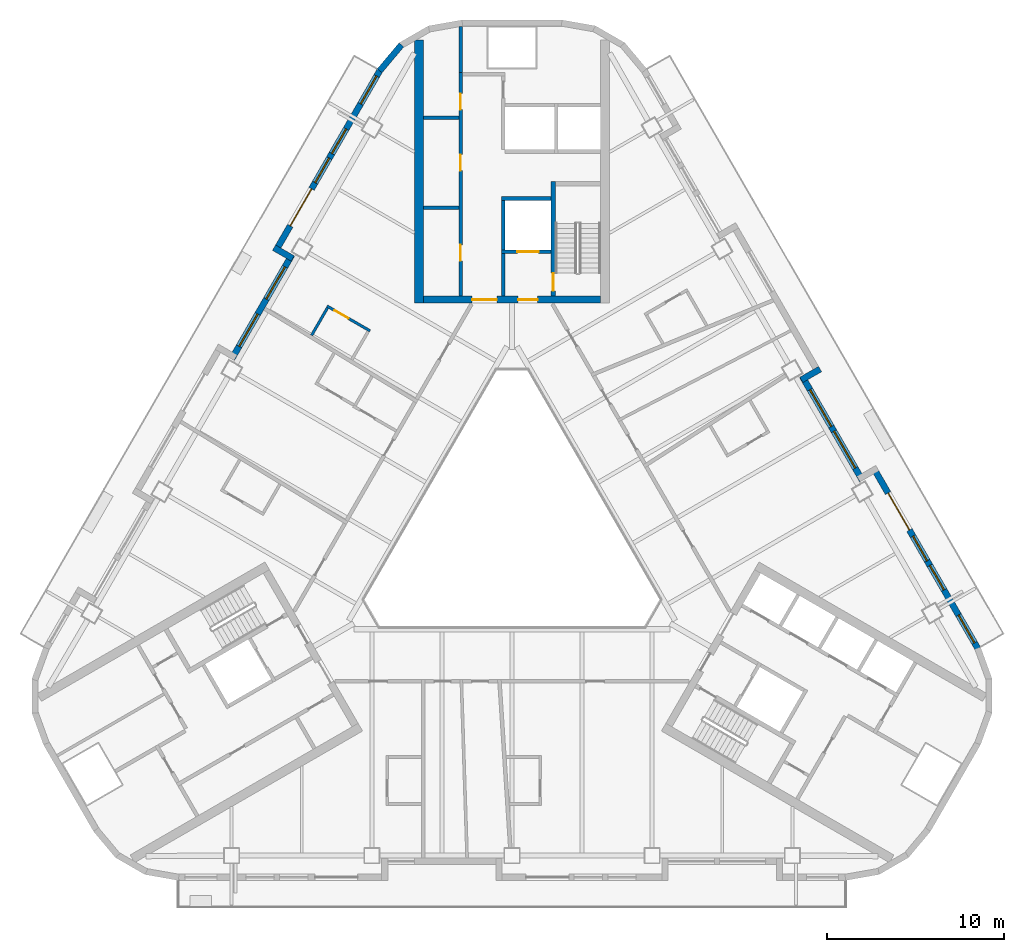
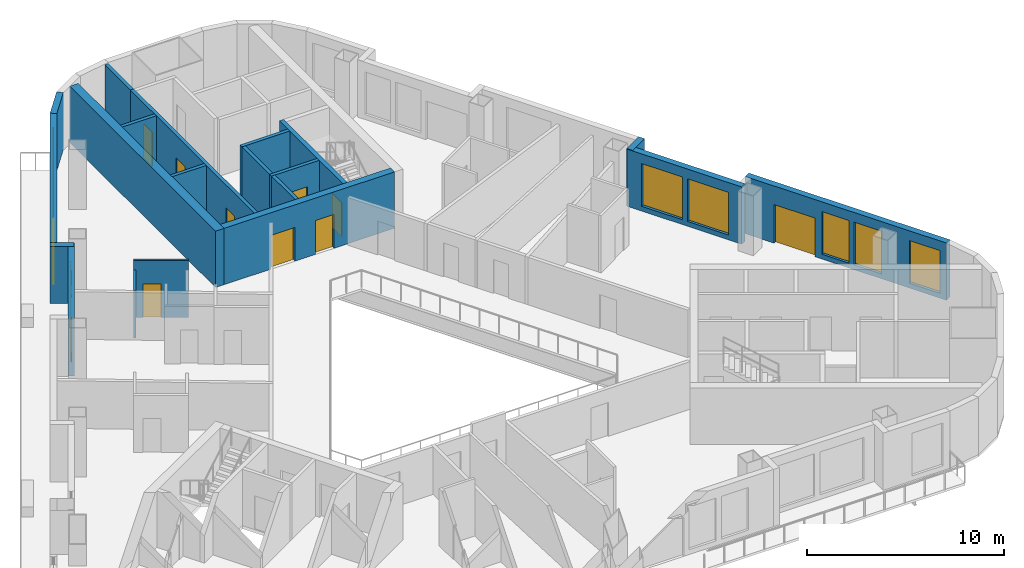
# One storey, part 6 of 13: 20 walls, 10 doors, 10 windows, 20 openings.
"""IFC4 building model written with IfcOpenShell, lengths in metres."""

from ifc_helpers import new_model, si_unit, direction, frame, frame_2d, origin, place, context, subcontext, project, spatial, rectangle, extrude, material, layer, layer_set, type_object, element, fill, save


model = new_model("IFC4")

# Units and contexts
model_context = context("Model", 3, precision=1e-05, world=origin(), true_north=direction((0.0, 1.0)))
body_context = subcontext(model_context, "Body", "Model", "MODEL_VIEW")
ifc_project = project(units=[si_unit("LENGTHUNIT", "METRE"), si_unit("AREAUNIT", "SQUARE_METRE"), si_unit("VOLUMEUNIT", "CUBIC_METRE"), si_unit("PLANEANGLEUNIT", "RADIAN"), si_unit("MASSUNIT", "GRAM", prefix="KILO")], contexts=[model_context])

# Site, building, storey
site_placement = place(None, origin())
site = spatial("IfcSite", under=ifc_project, at=site_placement, CompositionType="ELEMENT")
building_placement = place(site_placement, origin())
building = spatial("IfcBuilding", under=site, at=building_placement, Name="Apuvela Tower Hotel", CompositionType="ELEMENT")
storey_placement = place(building_placement, frame((0.0, 0.0, 102.0)))
storey = spatial("IfcBuildingStorey", under=building, at=storey_placement, Name="L23", CompositionType="ELEMENT", Elevation=102.0)

# Wall, openings, doors
ifc_material_1 = material(Name="Concrete C50/60", Category="concrete")
ifc_layer_1 = layer(ifc_material_1, 0.39990234375)
ifc_layer_set_1 = layer_set([ifc_layer_1], Name="COR-WALL-CORE-400")
wall_type_1 = type_object("IfcWallType", Name="COR-WALL-CORE-400", PredefinedType="SHEAR", material=ifc_layer_set_1)
wall_1_placement = place(storey_placement, frame((5.0, 13.10009765625, 0.0), z_axis=(0.0, 0.0, 1.0), x_axis=(-1.0, 0.0, 0.0)))
wall_1 = element("IfcWall", 1, at=wall_1_placement, inside=storey, type_object=wall_type_1, Name="Core wall N", PredefinedType="SHEAR", context=body_context, shape_type="SweptSolid", body=[
    extrude(rectangle(XDim=10.0, YDim=0.39990234375, at=frame_2d((5.0, 0.0))), origin(), (0.0, 0.0, 1.0), 3.5),
])
opening_1_placement = place(wall_1_placement, frame((3.550048828125, 0.0, 0.0)))
opening_1 = element("IfcOpeningElement", 2, at=opening_1_placement, cuts=wall_1, Name="Opening N-FD", PredefinedType="OPENING", context=body_context, shape_type="SweptSolid", body=[
    extrude(rectangle(XDim=1.10009765625, YDim=2.10009765625, at=frame_2d((0.550048828125, 1.050048828125))), frame((0.0, 0.2099609375, 0.0), z_axis=(0.0, -1.0, 0.0), x_axis=(1.0, 0.0, 0.0)), (0.0, 0.0, 1.0), 0.419921875),
])
opening_2_placement = place(wall_1_placement, frame((5.85009765625, 0.0, 0.0)))
opening_2 = element("IfcOpeningElement", 3, at=opening_2_placement, cuts=wall_1, Name="Opening N-GD", PredefinedType="OPENING", context=body_context, shape_type="SweptSolid", body=[
    extrude(rectangle(XDim=1.39990234375, YDim=2.10009765625, at=frame_2d((0.699951171875, 1.050048828125))), frame((0.0, 0.2099609375, 0.0), z_axis=(0.0, -1.0, 0.0), x_axis=(1.0, 0.0, 0.0)), (0.0, 0.0, 1.0), 0.419921875),
])
ifc_material_2 = material(Name="Steel fire door, powder coated", Category="steel")
door_type_1 = type_object("IfcDoorType", Name="COR-FD-1100", OperationType="NOTDEFINED", PredefinedType="DOOR", material=ifc_material_2)
door_1_placement = place(opening_1_placement, frame((1.10009765625, 0.0, 0.0), z_axis=(0.0, 0.0, 1.0), x_axis=(-1.0, 0.0, 0.0)))
door_1 = element("IfcDoor", 4, at=door_1_placement, inside=storey, type_object=door_type_1, Name="Firefighting lobby door N-FD", OperationType="SINGLE_SWING_LEFT", OverallHeight=2.10009765625, OverallWidth=1.10009765625, PredefinedType="DOOR", context=body_context, shape_type="SweptSolid", body=[
    extrude(rectangle(XDim=1.10009765625, YDim=2.10009765625, at=frame_2d((0.550048828125, 1.050048828125))), frame((0.0, 0.02490234375, 0.0), z_axis=(0.0, -1.0, 0.0), x_axis=(1.0, 0.0, 0.0)), (0.0, 0.0, 1.0), 0.050048828125),
])
fill(opening_1, door_1)
ifc_material_3 = material(Name="Glazed steel fire door", Category="steel")
door_type_2 = type_object("IfcDoorType", Name="COR-GD-1400", OperationType="DOUBLE_DOOR_SINGLE_SWING", PredefinedType="DOOR", material=ifc_material_3)
door_2_placement = place(opening_2_placement, frame((1.39990234375, 0.0, 0.0), z_axis=(0.0, 0.0, 1.0), x_axis=(-1.0, 0.0, 0.0)))
door_2 = element("IfcDoor", 5, at=door_2_placement, inside=storey, type_object=door_type_2, Name="Lift lobby door N-GD", OperationType="DOUBLE_DOOR_SINGLE_SWING", OverallHeight=2.10009765625, OverallWidth=1.39990234375, PredefinedType="DOOR", context=body_context, shape_type="SweptSolid", body=[
    extrude(rectangle(XDim=1.39990234375, YDim=2.10009765625, at=frame_2d((0.699951171875, 1.050048828125))), frame((0.0, 0.02490234375, 0.0), z_axis=(0.0, -1.0, 0.0), x_axis=(1.0, 0.0, 0.0)), (0.0, 0.0, 1.0), 0.050048828125),
])
fill(opening_2, door_2)

# Walls
ifc_layer_2 = layer(ifc_material_1, 0.5)
ifc_layer_set_2 = layer_set([ifc_layer_2], Name="COR-WALL-CORE-500")
wall_type_2 = type_object("IfcWallType", Name="COR-WALL-CORE-500", PredefinedType="SHEAR", material=ifc_layer_set_2)
wall_2_placement = place(storey_placement, frame((-5.25, 12.89990234375, 0.0), z_axis=(0.0, 0.0, 1.0), x_axis=(0.0, 1.0, 0.0)))
element("IfcWall", 6, at=wall_2_placement, inside=storey, type_object=wall_type_2, Name="Core wall N", PredefinedType="SHEAR", context=body_context, shape_type="SweptSolid", body=[
    extrude(rectangle(XDim=14.8369140625, YDim=0.5, at=frame_2d((7.41845703125, 0.0))), origin(), (0.0, 0.0, 1.0), 3.5),
])
ifc_layer_3 = layer(ifc_material_1, 0.199951171875)
ifc_layer_set_3 = layer_set([ifc_layer_3], Name="COR-WALL-SHAFT-200")
wall_type_3 = type_object("IfcWallType", Name="COR-WALL-SHAFT-200", PredefinedType="SHEAR", material=ifc_layer_set_3)
wall_3_placement = place(storey_placement, frame((2.199951171875, 18.800048828125, 0.0), z_axis=(0.0, 0.0, 1.0), x_axis=(-1.0, 0.0, 0.0)))
element("IfcWall", 7, at=wall_3_placement, inside=storey, type_object=wall_type_3, Name="Shaft wall N", PredefinedType="SHEAR", context=body_context, shape_type="SweptSolid", body=[
    extrude(rectangle(XDim=2.800048828125, YDim=0.199951171875, at=frame_2d((1.39990234375, 0.0))), origin(), (0.0, 0.0, 1.0), 3.5),
])

# Wall, opening, door
wall_4_placement = place(storey_placement, frame((2.199951171875, 15.800048828125, 0.0), z_axis=(0.0, 0.0, 1.0), x_axis=(-1.0, 0.0, 0.0)))
wall_4 = element("IfcWall", 8, at=wall_4_placement, inside=storey, type_object=wall_type_3, Name="Shaft wall N", PredefinedType="SHEAR", context=body_context, shape_type="SweptSolid", body=[
    extrude(rectangle(XDim=2.800048828125, YDim=0.199951171875, at=frame_2d((1.39990234375, 0.0))), origin(), (0.0, 0.0, 1.0), 3.5),
])
opening_3_placement = place(wall_4_placement, frame((0.699951171875, 0.0, 0.0)))
opening_3 = element("IfcOpeningElement", 9, at=opening_3_placement, cuts=wall_4, Name="Opening N-LD-FS1", PredefinedType="OPENING", context=body_context, shape_type="SweptSolid", body=[
    extrude(rectangle(XDim=1.199951171875, YDim=2.10009765625, at=frame_2d((0.60009765625, 1.050048828125))), frame((0.0, 0.10986328125, 0.0), z_axis=(0.0, -1.0, 0.0), x_axis=(1.0, 0.0, 0.0)), (0.0, 0.0, 1.0), 0.219970703125),
])
ifc_material_4 = material(Name="Stainless steel lift landing door", Category="steel")
door_type_3 = type_object("IfcDoorType", Name="COR-LD-1200", OperationType="DOUBLE_DOOR_SLIDING", PredefinedType="DOOR", material=ifc_material_4)
door_3_placement = place(opening_3_placement, origin())
door_3 = element("IfcDoor", 10, at=door_3_placement, inside=storey, type_object=door_type_3, Name="Lift landing door N-LD-FS1", OperationType="DOUBLE_DOOR_SLIDING", OverallHeight=2.10009765625, OverallWidth=1.199951171875, PredefinedType="DOOR", context=body_context, shape_type="SweptSolid", body=[
    extrude(rectangle(XDim=1.199951171875, YDim=2.10009765625, at=frame_2d((0.60009765625, 1.050048828125))), frame((0.0, 0.02490234375, 0.0), z_axis=(0.0, -1.0, 0.0), x_axis=(1.0, 0.0, 0.0)), (0.0, 0.0, 1.0), 0.050048828125),
])
fill(opening_3, door_3)

# Walls
wall_5_placement = place(storey_placement, frame((-0.5, 15.89990234375, 0.0), z_axis=(0.0, 0.0, 1.0), x_axis=(0.0, 1.0, 0.0)))
element("IfcWall", 11, at=wall_5_placement, inside=storey, type_object=wall_type_3, Name="Shaft wall N", PredefinedType="SHEAR", context=body_context, shape_type="SweptSolid", body=[
    extrude(rectangle(XDim=2.800048828125, YDim=0.199951171875, at=frame_2d((1.39990234375, 0.0))), origin(), (0.0, 0.0, 1.0), 3.5),
])
wall_6_placement = place(storey_placement, frame((-0.5, 13.300048828125, 0.0), z_axis=(0.0, 0.0, 1.0), x_axis=(0.0, 1.0, 0.0)))
element("IfcWall", 12, at=wall_6_placement, inside=storey, type_object=wall_type_3, Name="Shaft wall N", PredefinedType="SHEAR", context=body_context, shape_type="SweptSolid", body=[
    extrude(rectangle(XDim=2.39990234375, YDim=0.199951171875, at=frame_2d((1.199951171875, 0.0))), origin(), (0.0, 0.0, 1.0), 3.5),
])

# Wall, openings, doors
wall_7_placement = place(storey_placement, frame((-2.89990234375, 13.300048828125, 0.0), z_axis=(0.0, 0.0, 1.0), x_axis=(0.0, 1.0, 0.0)))
wall_7 = element("IfcWall", 13, at=wall_7_placement, inside=storey, type_object=wall_type_3, Name="Shaft wall N", PredefinedType="SHEAR", context=body_context, shape_type="SweptSolid", body=[
    extrude(rectangle(XDim=12.599853515625, YDim=0.199951171875, at=frame_2d((6.2998046875, 0.0))), origin(), (0.0, 0.0, 1.0), 3.5),
])
opening_4_placement = place(wall_7_placement, frame((1.989990234375, 0.0, 0.0)))
opening_4 = element("IfcOpeningElement", 14, at=opening_4_placement, cuts=wall_7, Name="Opening N-RE1", PredefinedType="OPENING", context=body_context, shape_type="SweptSolid", body=[
    extrude(rectangle(XDim=0.89990234375, YDim=2.10009765625, at=frame_2d((0.449951171875, 1.050048828125))), frame((0.0, 0.10986328125, 0.0), z_axis=(0.0, -1.0, 0.0), x_axis=(1.0, 0.0, 0.0)), (0.0, 0.0, 1.0), 0.219970703125),
])
opening_5_placement = place(wall_7_placement, frame((7.070068359375, 0.0, 0.0)))
opening_5 = element("IfcOpeningElement", 15, at=opening_5_placement, cuts=wall_7, Name="Opening N-RE3", PredefinedType="OPENING", context=body_context, shape_type="SweptSolid", body=[
    extrude(rectangle(XDim=0.89990234375, YDim=2.10009765625, at=frame_2d((0.449951171875, 1.050048828125))), frame((0.0, 0.10986328125, 0.0), z_axis=(0.0, -1.0, 0.0), x_axis=(1.0, 0.0, 0.0)), (0.0, 0.0, 1.0), 0.219970703125),
])
opening_6_placement = place(wall_7_placement, frame((10.510009765625, 0.0, 0.0)))
opening_6 = element("IfcOpeningElement", 16, at=opening_6_placement, cuts=wall_7, Name="Opening N-REP", PredefinedType="OPENING", context=body_context, shape_type="SweptSolid", body=[
    extrude(rectangle(XDim=0.89990234375, YDim=2.10009765625, at=frame_2d((0.449951171875, 1.050048828125))), frame((0.0, 0.10986328125, 0.0), z_axis=(0.0, -1.0, 0.0), x_axis=(1.0, 0.0, 0.0)), (0.0, 0.0, 1.0), 0.219970703125),
])
door_type_4 = type_object("IfcDoorType", Name="COR-DR-900", OperationType="NOTDEFINED", PredefinedType="DOOR", material=ifc_material_2)
door_4_placement = place(opening_4_placement, origin())
door_4 = element("IfcDoor", 17, at=door_4_placement, inside=storey, type_object=door_type_4, Name="Store door N-RE1", OperationType="SINGLE_SWING_LEFT", OverallHeight=2.10009765625, OverallWidth=0.89990234375, PredefinedType="DOOR", context=body_context, shape_type="SweptSolid", body=[
    extrude(rectangle(XDim=0.89990234375, YDim=2.10009765625, at=frame_2d((0.449951171875, 1.050048828125))), frame((0.0, 0.02490234375, 0.0), z_axis=(0.0, -1.0, 0.0), x_axis=(1.0, 0.0, 0.0)), (0.0, 0.0, 1.0), 0.050048828125),
])
fill(opening_4, door_4)
door_5_placement = place(opening_5_placement, origin())
door_5 = element("IfcDoor", 18, at=door_5_placement, inside=storey, type_object=door_type_4, Name="Store door N-RE3", OperationType="SINGLE_SWING_LEFT", OverallHeight=2.10009765625, OverallWidth=0.89990234375, PredefinedType="DOOR", context=body_context, shape_type="SweptSolid", body=[
    extrude(rectangle(XDim=0.89990234375, YDim=2.10009765625, at=frame_2d((0.449951171875, 1.050048828125))), frame((0.0, 0.02490234375, 0.0), z_axis=(0.0, -1.0, 0.0), x_axis=(1.0, 0.0, 0.0)), (0.0, 0.0, 1.0), 0.050048828125),
])
fill(opening_5, door_5)
door_6_placement = place(opening_6_placement, origin())
door_6 = element("IfcDoor", 19, at=door_6_placement, inside=storey, type_object=door_type_4, Name="Store door N-REP", OperationType="SINGLE_SWING_RIGHT", OverallHeight=2.10009765625, OverallWidth=0.89990234375, PredefinedType="DOOR", context=body_context, shape_type="SweptSolid", body=[
    extrude(rectangle(XDim=0.89990234375, YDim=2.10009765625, at=frame_2d((0.449951171875, 1.050048828125))), frame((0.0, 0.02490234375, 0.0), z_axis=(0.0, -1.0, 0.0), x_axis=(1.0, 0.0, 0.0)), (0.0, 0.0, 1.0), 0.050048828125),
])
fill(opening_6, door_6)

# Walls
for number, where, z_axis, x_axis, name in (
    (20, (-3.0, 18.280029296875, 0.0), (0.0, 0.0, 1.0), (-1.0, 0.0, 0.0), "Shaft wall N"),
    (21, (-3.0, 23.360107421875, 0.0), (0.0, 0.0, 1.0), (-1.0, 0.0, 0.0), "Shaft wall N"),
):
    element("IfcWall", number, at=place(storey_placement, frame(where, z_axis=z_axis, x_axis=x_axis)), inside=storey, type_object=wall_type_3, Name=name, PredefinedType="SHEAR", context=body_context, shape_type="SweptSolid", body=[
        extrude(rectangle(XDim=2.0, YDim=0.199951171875, at=frame_2d((1.0, 0.0))), origin(), (0.0, 0.0, 1.0), 3.5),
    ])
wall_8_placement = place(storey_placement, frame((-2.89990234375, 25.89990234375, 0.0), z_axis=(0.0, 0.0, 1.0), x_axis=(0.0, 1.0, 0.0)))
element("IfcWall", 22, at=wall_8_placement, inside=storey, type_object=wall_type_3, Name="Shaft wall N", PredefinedType="SHEAR", context=body_context, shape_type="SweptSolid", body=[
    extrude(rectangle(XDim=2.60009765625, YDim=0.199951171875, at=frame_2d((1.300048828125, 0.0))), origin(), (0.0, 0.0, 1.0), 3.5),
])

# Wall, opening, door
ifc_layer_4 = layer(ifc_material_1, 0.25)
ifc_layer_set_4 = layer_set([ifc_layer_4], Name="COR-WALL-STAIR-250")
wall_type_4 = type_object("IfcWallType", Name="COR-WALL-STAIR-250", PredefinedType="SHEAR", material=ifc_layer_set_4)
wall_9_placement = place(storey_placement, frame((2.324951171875, 13.300048828125, 0.0), z_axis=(0.0, 0.0, 1.0), x_axis=(0.0, 1.0, 0.0)))
wall_9 = element("IfcWall", 23, at=wall_9_placement, inside=storey, type_object=wall_type_4, Name="Stair wall N", PredefinedType="SHEAR", context=body_context, shape_type="SweptSolid", body=[
    extrude(rectangle(XDim=6.449951171875, YDim=0.25, at=frame_2d((3.22509765625, 0.0))), origin(), (0.0, 0.0, 1.0), 3.5),
])
opening_7_placement = place(wall_9_placement, frame((0.300048828125, 0.0, 0.0)))
opening_7 = element("IfcOpeningElement", 24, at=opening_7_placement, cuts=wall_9, Name="Opening N-SD", PredefinedType="OPENING", context=body_context, shape_type="SweptSolid", body=[
    extrude(rectangle(XDim=1.0, YDim=2.10009765625, at=frame_2d((0.5, 1.050048828125))), frame((0.0, 0.135009765625, 0.0), z_axis=(0.0, -1.0, 0.0), x_axis=(1.0, 0.0, 0.0)), (0.0, 0.0, 1.0), 0.27001953125),
])
door_type_5 = type_object("IfcDoorType", Name="COR-SD-1000", OperationType="NOTDEFINED", PredefinedType="DOOR", material=ifc_material_2)
door_7_placement = place(opening_7_placement, frame((1.0, 0.0, 0.0), z_axis=(0.0, 0.0, 1.0), x_axis=(-1.0, 0.0, 0.0)))
door_7 = element("IfcDoor", 25, at=door_7_placement, inside=storey, type_object=door_type_5, Name="Stair door N-SD", OperationType="SINGLE_SWING_LEFT", OverallHeight=2.10009765625, OverallWidth=1.0, PredefinedType="DOOR", context=body_context, shape_type="SweptSolid", body=[
    extrude(rectangle(XDim=1.0, YDim=2.10009765625, at=frame_2d((0.5, 1.050048828125))), frame((0.0, 0.02490234375, 0.0), z_axis=(0.0, -1.0, 0.0), x_axis=(1.0, 0.0, 0.0)), (0.0, 0.0, 1.0), 0.050048828125),
])
fill(opening_7, door_7)

# Wall, openings, door, windows
ifc_material_5 = material(Name="Concrete C40/50, dark pigmented precast panel", Category="concrete")
ifc_layer_5 = layer(ifc_material_5, 0.35009765625)
ifc_layer_set_5 = layer_set([ifc_layer_5], Name="ENV-WALL-350")
wall_type_5 = type_object("IfcWallType", Name="ENV-WALL-350", PredefinedType="SOLIDWALL", material=ifc_layer_set_5)
wall_10_placement = place(storey_placement, frame((-7.440673828125, 26.0224609375, 0.0), z_axis=(0.0, 0.0, 1.0), x_axis=(-0.499992533062, -0.86602971478, 0.0)))
wall_10 = element("IfcWall", 26, at=wall_10_placement, inside=storey, type_object=wall_type_5, Name="External wall L23-01", PredefinedType="SOLIDWALL", context=body_context, shape_type="SweptSolid", body=[
    extrude(rectangle(XDim=11.815673828125, YDim=0.35009765625, at=frame_2d((5.90771484375, 0.0))), origin(), (0.0, 0.0, 1.0), 3.550048828125),
])
opening_8_placement = place(wall_10_placement, frame((0.381103515625, 0.0, 0.300048828125)))
opening_8 = element("IfcOpeningElement", 27, at=opening_8_placement, cuts=wall_10, Name="Opening WN18", PredefinedType="OPENING", context=body_context, shape_type="SweptSolid", body=[
    extrude(rectangle(XDim=1.800048828125, YDim=2.64990234375, at=frame_2d((0.89990234375, 1.324951171875))), frame((0.0, 0.18505859375, 0.0), z_axis=(0.0, -1.0, 0.0), x_axis=(1.0, 0.0, 0.0)), (0.0, 0.0, 1.0), 0.3701171875),
])
opening_9_placement = place(wall_10_placement, frame((7.7158203125, 0.0, 0.0)))
opening_9 = element("IfcOpeningElement", 28, at=opening_9_placement, cuts=wall_10, Name="Opening BD24", PredefinedType="OPENING", context=body_context, shape_type="SweptSolid", body=[
    extrude(rectangle(XDim=2.39990234375, YDim=2.39990234375, at=frame_2d((1.199951171875, 1.199951171875))), frame((0.0, 0.18505859375, 0.0), z_axis=(0.0, -1.0, 0.0), x_axis=(1.0, 0.0, 0.0)), (0.0, 0.0, 1.0), 0.3701171875),
])
opening_10_placement = place(wall_10_placement, frame((3.815185546875, 0.0, 0.300048828125)))
opening_10 = element("IfcOpeningElement", 29, at=opening_10_placement, cuts=wall_10, Name="Opening WN16", PredefinedType="OPENING", context=body_context, shape_type="SweptSolid", body=[
    extrude(rectangle(XDim=1.60009765625, YDim=2.64990234375, at=frame_2d((0.800048828125, 1.324951171875))), frame((0.0, 0.18505859375, 0.0), z_axis=(0.0, -1.0, 0.0), x_axis=(1.0, 0.0, 0.0)), (0.0, 0.0, 1.0), 0.3701171875),
])
opening_11_placement = place(wall_10_placement, frame((5.715087890625, 0.0, 0.300048828125)))
opening_11 = element("IfcOpeningElement", 30, at=opening_11_placement, cuts=wall_10, Name="Opening WN16", PredefinedType="OPENING", context=body_context, shape_type="SweptSolid", body=[
    extrude(rectangle(XDim=1.60009765625, YDim=2.64990234375, at=frame_2d((0.800048828125, 1.324951171875))), frame((0.0, 0.18505859375, 0.0), z_axis=(0.0, -1.0, 0.0), x_axis=(1.0, 0.0, 0.0)), (0.0, 0.0, 1.0), 0.3701171875),
])
ifc_material_6 = material(Name="Aluminium 6063-T6, dark bronze anodised frame with dark tinted laminated glass", Category="aluminium")
door_type_6 = type_object("IfcDoorType", Name="ENV-DOOR-BALCONY-2400x2400", OperationType="SLIDING_TO_LEFT", PredefinedType="DOOR", material=ifc_material_6)
door_8_placement = place(opening_9_placement, frame((2.39990234375, 0.0, 0.0), z_axis=(0.0, 0.0, 1.0), x_axis=(-1.0, 0.0, 0.0)))
door_8 = element("IfcDoor", 31, at=door_8_placement, inside=storey, type_object=door_type_6, Name="Balcony door BD24", OperationType="SLIDING_TO_LEFT", OverallHeight=2.39990234375, OverallWidth=2.39990234375, PredefinedType="DOOR", context=body_context, shape_type="SweptSolid", body=[
    extrude(rectangle(XDim=2.39990234375, YDim=2.39990234375, at=frame_2d((1.199951171875, 1.199951171875))), frame((0.0, 0.02490234375, 0.0), z_axis=(0.0, -1.0, 0.0), x_axis=(1.0, 0.0, 0.0)), (0.0, 0.0, 1.0), 0.050048828125),
])
fill(opening_9, door_8)
ifc_material_7 = material(Name="Glass, dark tinted laminated insulated glazing unit", Category="glass")
window_type_1 = type_object("IfcWindowType", Name="ENV-WIN-1600x2650", PartitioningType="SINGLE_PANEL", PredefinedType="WINDOW", material=ifc_material_7)
window_1_placement = place(opening_10_placement, origin())
window_1 = element("IfcWindow", 32, at=window_1_placement, inside=storey, type_object=window_type_1, Name="Window WN16", OverallHeight=2.64990234375, OverallWidth=1.60009765625, PartitioningType="SINGLE_PANEL", PredefinedType="WINDOW", context=body_context, shape_type="SweptSolid", body=[
    extrude(rectangle(XDim=1.60009765625, YDim=2.64990234375, at=frame_2d((0.800048828125, 1.324951171875))), frame((0.0, 0.030029296875, 0.0), z_axis=(0.0, -1.0, 0.0), x_axis=(1.0, 0.0, 0.0)), (0.0, 0.0, 1.0), 0.06005859375),
])
fill(opening_10, window_1)
window_2_placement = place(opening_11_placement, origin())
window_2 = element("IfcWindow", 33, at=window_2_placement, inside=storey, type_object=window_type_1, Name="Window WN16", OverallHeight=2.64990234375, OverallWidth=1.60009765625, PartitioningType="SINGLE_PANEL", PredefinedType="WINDOW", context=body_context, shape_type="SweptSolid", body=[
    extrude(rectangle(XDim=1.60009765625, YDim=2.64990234375, at=frame_2d((0.800048828125, 1.324951171875))), frame((0.0, 0.030029296875, 0.0), z_axis=(0.0, -1.0, 0.0), x_axis=(1.0, 0.0, 0.0)), (0.0, 0.0, 1.0), 0.06005859375),
])
fill(opening_11, window_2)
window_type_2 = type_object("IfcWindowType", Name="ENV-WIN-1800x2650", PartitioningType="SINGLE_PANEL", PredefinedType="WINDOW", material=ifc_material_7)
window_3_placement = place(opening_8_placement, origin())
window_3 = element("IfcWindow", 34, at=window_3_placement, inside=storey, type_object=window_type_2, Name="Window WN18", OverallHeight=2.64990234375, OverallWidth=1.800048828125, PartitioningType="SINGLE_PANEL", PredefinedType="WINDOW", context=body_context, shape_type="SweptSolid", body=[
    extrude(rectangle(XDim=1.800048828125, YDim=2.64990234375, at=frame_2d((0.89990234375, 1.324951171875))), frame((0.0, 0.030029296875, 0.0), z_axis=(0.0, -1.0, 0.0), x_axis=(1.0, 0.0, 0.0)), (0.0, 0.0, 1.0), 0.06005859375),
])
fill(opening_8, window_3)

# Wall
wall_11_placement = place(storey_placement, frame((-13.41259765625, 16.02880859375, 0.0), z_axis=(0.0, 0.0, 1.0), x_axis=(0.866005645448, -0.500034220881, 0.0)))
element("IfcWall", 35, at=wall_11_placement, inside=storey, type_object=wall_type_5, Name="External wall L23-02", PredefinedType="SOLIDWALL", context=body_context, shape_type="SweptSolid", body=[
    extrude(rectangle(XDim=1.22021484375, YDim=0.35009765625, at=frame_2d((0.610107421875, 0.0))), origin(), (0.0, 0.0, 1.0), 3.550048828125),
])

# Wall, openings, windows
wall_12_placement = place(storey_placement, frame((-12.408935546875, 15.616943359375, 0.0), z_axis=(0.0, 0.0, 1.0), x_axis=(-0.500003597184, -0.866023326939, 0.0)))
wall_12 = element("IfcWall", 36, at=wall_12_placement, inside=storey, type_object=wall_type_5, Name="External wall L23-03", PredefinedType="SOLIDWALL", context=body_context, shape_type="SweptSolid", body=[
    extrude(rectangle(XDim=6.740234375, YDim=0.35009765625, at=frame_2d((3.3701171875, 0.0))), origin(), (0.0, 0.0, 1.0), 3.550048828125),
])
opening_12_placement = place(wall_12_placement, frame((0.77001953125, 0.0, 0.300048828125)))
opening_12 = element("IfcOpeningElement", 37, at=opening_12_placement, cuts=wall_12, Name="Opening WN21", PredefinedType="OPENING", context=body_context, shape_type="SweptSolid", body=[
    extrude(rectangle(XDim=2.10009765625, YDim=2.64990234375, at=frame_2d((1.050048828125, 1.324951171875))), frame((0.0, 0.18505859375, 0.0), z_axis=(0.0, -1.0, 0.0), x_axis=(1.0, 0.0, 0.0)), (0.0, 0.0, 1.0), 0.3701171875),
])
opening_13_placement = place(wall_12_placement, frame((3.84130859375, 0.0, 0.300048828125)))
opening_13 = element("IfcOpeningElement", 38, at=opening_13_placement, cuts=wall_12, Name="Opening WN21", PredefinedType="OPENING", context=body_context, shape_type="SweptSolid", body=[
    extrude(rectangle(XDim=2.10009765625, YDim=2.64990234375, at=frame_2d((1.050048828125, 1.324951171875))), frame((0.0, 0.18505859375, 0.0), z_axis=(0.0, -1.0, 0.0), x_axis=(1.0, 0.0, 0.0)), (0.0, 0.0, 1.0), 0.3701171875),
])
window_type_3 = type_object("IfcWindowType", Name="ENV-WIN-2100x2650", PartitioningType="SINGLE_PANEL", PredefinedType="WINDOW", material=ifc_material_7)
window_4_placement = place(opening_12_placement, origin())
window_4 = element("IfcWindow", 39, at=window_4_placement, inside=storey, type_object=window_type_3, Name="Window WN21", OverallHeight=2.64990234375, OverallWidth=2.10009765625, PartitioningType="SINGLE_PANEL", PredefinedType="WINDOW", context=body_context, shape_type="SweptSolid", body=[
    extrude(rectangle(XDim=2.10009765625, YDim=2.64990234375, at=frame_2d((1.050048828125, 1.324951171875))), frame((0.0, 0.030029296875, 0.0), z_axis=(0.0, -1.0, 0.0), x_axis=(1.0, 0.0, 0.0)), (0.0, 0.0, 1.0), 0.06005859375),
])
fill(opening_12, window_4)
window_5_placement = place(opening_13_placement, origin())
window_5 = element("IfcWindow", 40, at=window_5_placement, inside=storey, type_object=window_type_3, Name="Window WN21", OverallHeight=2.64990234375, OverallWidth=2.10009765625, PartitioningType="SINGLE_PANEL", PredefinedType="WINDOW", context=body_context, shape_type="SweptSolid", body=[
    extrude(rectangle(XDim=2.10009765625, YDim=2.64990234375, at=frame_2d((1.050048828125, 1.324951171875))), frame((0.0, 0.030029296875, 0.0), z_axis=(0.0, -1.0, 0.0), x_axis=(1.0, 0.0, 0.0)), (0.0, 0.0, 1.0), 0.06005859375),
])
fill(opening_13, window_5)

# Wall, openings, door, windows
wall_13_placement = place(storey_placement, frame((26.256591796875, -6.5673828125, 0.0), z_axis=(0.0, 0.0, 1.0), x_axis=(-0.500023526245, 0.866011820475, 0.0)))
wall_13 = element("IfcWall", 41, at=wall_13_placement, inside=storey, type_object=wall_type_5, Name="External wall L23-33", PredefinedType="SOLIDWALL", context=body_context, shape_type="SweptSolid", body=[
    extrude(rectangle(XDim=11.81591796875, YDim=0.35009765625, at=frame_2d((5.907958984375, 0.0))), origin(), (0.0, 0.0, 1.0), 3.550048828125),
])
opening_14_placement = place(wall_13_placement, frame((0.380126953125, 0.0, 0.300048828125)))
opening_14 = element("IfcOpeningElement", 42, at=opening_14_placement, cuts=wall_13, Name="Opening WN18", PredefinedType="OPENING", context=body_context, shape_type="SweptSolid", body=[
    extrude(rectangle(XDim=1.800048828125, YDim=2.64990234375, at=frame_2d((0.89990234375, 1.324951171875))), frame((0.0, 0.18505859375, 0.0), z_axis=(0.0, -1.0, 0.0), x_axis=(1.0, 0.0, 0.0)), (0.0, 0.0, 1.0), 0.3701171875),
])
opening_15_placement = place(wall_13_placement, frame((7.71630859375, 0.0, 0.0)))
opening_15 = element("IfcOpeningElement", 43, at=opening_15_placement, cuts=wall_13, Name="Opening BD24", PredefinedType="OPENING", context=body_context, shape_type="SweptSolid", body=[
    extrude(rectangle(XDim=2.39990234375, YDim=2.39990234375, at=frame_2d((1.199951171875, 1.199951171875))), frame((0.0, 0.18505859375, 0.0), z_axis=(0.0, -1.0, 0.0), x_axis=(1.0, 0.0, 0.0)), (0.0, 0.0, 1.0), 0.3701171875),
])
opening_16_placement = place(wall_13_placement, frame((3.81591796875, 0.0, 0.300048828125)))
opening_16 = element("IfcOpeningElement", 44, at=opening_16_placement, cuts=wall_13, Name="Opening WN16", PredefinedType="OPENING", context=body_context, shape_type="SweptSolid", body=[
    extrude(rectangle(XDim=1.60009765625, YDim=2.64990234375, at=frame_2d((0.800048828125, 1.324951171875))), frame((0.0, 0.18505859375, 0.0), z_axis=(0.0, -1.0, 0.0), x_axis=(1.0, 0.0, 0.0)), (0.0, 0.0, 1.0), 0.3701171875),
])
opening_17_placement = place(wall_13_placement, frame((5.7158203125, 0.0, 0.300048828125)))
opening_17 = element("IfcOpeningElement", 45, at=opening_17_placement, cuts=wall_13, Name="Opening WN16", PredefinedType="OPENING", context=body_context, shape_type="SweptSolid", body=[
    extrude(rectangle(XDim=1.60009765625, YDim=2.64990234375, at=frame_2d((0.800048828125, 1.324951171875))), frame((0.0, 0.18505859375, 0.0), z_axis=(0.0, -1.0, 0.0), x_axis=(1.0, 0.0, 0.0)), (0.0, 0.0, 1.0), 0.3701171875),
])
door_9_placement = place(opening_15_placement, frame((2.39990234375, 0.0, 0.0), z_axis=(0.0, 0.0, 1.0), x_axis=(-1.0, 0.0, 0.0)))
door_9 = element("IfcDoor", 46, at=door_9_placement, inside=storey, type_object=door_type_6, Name="Balcony door BD24", OperationType="SLIDING_TO_LEFT", OverallHeight=2.39990234375, OverallWidth=2.39990234375, PredefinedType="DOOR", context=body_context, shape_type="SweptSolid", body=[
    extrude(rectangle(XDim=2.39990234375, YDim=2.39990234375, at=frame_2d((1.199951171875, 1.199951171875))), frame((0.0, 0.02490234375, 0.0), z_axis=(0.0, -1.0, 0.0), x_axis=(1.0, 0.0, 0.0)), (0.0, 0.0, 1.0), 0.050048828125),
])
fill(opening_15, door_9)
window_6_placement = place(opening_16_placement, origin())
window_6 = element("IfcWindow", 47, at=window_6_placement, inside=storey, type_object=window_type_1, Name="Window WN16", OverallHeight=2.64990234375, OverallWidth=1.60009765625, PartitioningType="SINGLE_PANEL", PredefinedType="WINDOW", context=body_context, shape_type="SweptSolid", body=[
    extrude(rectangle(XDim=1.60009765625, YDim=2.64990234375, at=frame_2d((0.800048828125, 1.324951171875))), frame((0.0, 0.030029296875, 0.0), z_axis=(0.0, -1.0, 0.0), x_axis=(1.0, 0.0, 0.0)), (0.0, 0.0, 1.0), 0.06005859375),
])
fill(opening_16, window_6)
window_7_placement = place(opening_17_placement, origin())
window_7 = element("IfcWindow", 48, at=window_7_placement, inside=storey, type_object=window_type_1, Name="Window WN16", OverallHeight=2.64990234375, OverallWidth=1.60009765625, PartitioningType="SINGLE_PANEL", PredefinedType="WINDOW", context=body_context, shape_type="SweptSolid", body=[
    extrude(rectangle(XDim=1.60009765625, YDim=2.64990234375, at=frame_2d((0.800048828125, 1.324951171875))), frame((0.0, 0.030029296875, 0.0), z_axis=(0.0, -1.0, 0.0), x_axis=(1.0, 0.0, 0.0)), (0.0, 0.0, 1.0), 0.06005859375),
])
fill(opening_17, window_7)
window_8_placement = place(opening_14_placement, origin())
window_8 = element("IfcWindow", 49, at=window_8_placement, inside=storey, type_object=window_type_2, Name="Window WN18", OverallHeight=2.64990234375, OverallWidth=1.800048828125, PartitioningType="SINGLE_PANEL", PredefinedType="WINDOW", context=body_context, shape_type="SweptSolid", body=[
    extrude(rectangle(XDim=1.800048828125, YDim=2.64990234375, at=frame_2d((0.89990234375, 1.324951171875))), frame((0.0, 0.030029296875, 0.0), z_axis=(0.0, -1.0, 0.0), x_axis=(1.0, 0.0, 0.0)), (0.0, 0.0, 1.0), 0.06005859375),
])
fill(opening_14, window_8)

# Wall, openings, windows
wall_14_placement = place(storey_placement, frame((19.72900390625, 2.93798828125, 0.0), z_axis=(0.0, 0.0, 1.0), x_axis=(-0.499976430342, 0.866039011305, 0.0)))
wall_14 = element("IfcWall", 50, at=wall_14_placement, inside=storey, type_object=wall_type_5, Name="External wall L23-35", PredefinedType="SOLIDWALL", context=body_context, shape_type="SweptSolid", body=[
    extrude(rectangle(XDim=6.739990234375, YDim=0.35009765625, at=frame_2d((3.3701171875, 0.0))), origin(), (0.0, 0.0, 1.0), 3.550048828125),
])
opening_18_placement = place(wall_14_placement, frame((0.77001953125, 0.0, 0.300048828125)))
opening_18 = element("IfcOpeningElement", 51, at=opening_18_placement, cuts=wall_14, Name="Opening WN24", PredefinedType="OPENING", context=body_context, shape_type="SweptSolid", body=[
    extrude(rectangle(XDim=2.39990234375, YDim=2.64990234375, at=frame_2d((1.199951171875, 1.324951171875))), frame((0.0, 0.18505859375, 0.0), z_axis=(0.0, -1.0, 0.0), x_axis=(1.0, 0.0, 0.0)), (0.0, 0.0, 1.0), 0.3701171875),
])
opening_19_placement = place(wall_14_placement, frame((3.469970703125, 0.0, 0.300048828125)))
opening_19 = element("IfcOpeningElement", 52, at=opening_19_placement, cuts=wall_14, Name="Opening WN24", PredefinedType="OPENING", context=body_context, shape_type="SweptSolid", body=[
    extrude(rectangle(XDim=2.39990234375, YDim=2.64990234375, at=frame_2d((1.199951171875, 1.324951171875))), frame((0.0, 0.18505859375, 0.0), z_axis=(0.0, -1.0, 0.0), x_axis=(1.0, 0.0, 0.0)), (0.0, 0.0, 1.0), 0.3701171875),
])
window_type_4 = type_object("IfcWindowType", Name="ENV-WIN-2400x2650", PartitioningType="SINGLE_PANEL", PredefinedType="WINDOW", material=ifc_material_7)
window_9_placement = place(opening_18_placement, origin())
window_9 = element("IfcWindow", 53, at=window_9_placement, inside=storey, type_object=window_type_4, Name="Window WN24", OverallHeight=2.64990234375, OverallWidth=2.39990234375, PartitioningType="SINGLE_PANEL", PredefinedType="WINDOW", context=body_context, shape_type="SweptSolid", body=[
    extrude(rectangle(XDim=2.39990234375, YDim=2.64990234375, at=frame_2d((1.199951171875, 1.324951171875))), frame((0.0, 0.030029296875, 0.0), z_axis=(0.0, -1.0, 0.0), x_axis=(1.0, 0.0, 0.0)), (0.0, 0.0, 1.0), 0.06005859375),
])
fill(opening_18, window_9)
window_10_placement = place(opening_19_placement, origin())
window_10 = element("IfcWindow", 54, at=window_10_placement, inside=storey, type_object=window_type_4, Name="Window WN24", OverallHeight=2.64990234375, OverallWidth=2.39990234375, PartitioningType="SINGLE_PANEL", PredefinedType="WINDOW", context=body_context, shape_type="SweptSolid", body=[
    extrude(rectangle(XDim=2.39990234375, YDim=2.64990234375, at=frame_2d((1.199951171875, 1.324951171875))), frame((0.0, 0.030029296875, 0.0), z_axis=(0.0, -1.0, 0.0), x_axis=(1.0, 0.0, 0.0)), (0.0, 0.0, 1.0), 0.06005859375),
])
fill(opening_19, window_10)

# Walls
wall_15_placement = place(storey_placement, frame((16.305908203125, 8.5771484375, 0.0), z_axis=(0.0, 0.0, 1.0), x_axis=(0.866092288191, 0.499884134912, 0.0)))
element("IfcWall", 55, at=wall_15_placement, inside=storey, type_object=wall_type_5, Name="External wall L23-36", PredefinedType="SOLIDWALL", context=body_context, shape_type="SweptSolid", body=[
    extrude(rectangle(XDim=1.219970703125, YDim=0.35009765625, at=frame_2d((0.60986328125, 0.0))), origin(), (0.0, 0.0, 1.0), 3.550048828125),
])
wall_16_placement = place(storey_placement, frame((-6.230224609375, 27.460693359375, 0.0), z_axis=(0.0, 0.0, 1.0), x_axis=(-0.642808304945, -0.766027077259, 0.0)))
element("IfcWall", 56, at=wall_16_placement, inside=storey, type_object=wall_type_5, Name="External wall L23-48", PredefinedType="SOLIDWALL", context=body_context, shape_type="SweptSolid", body=[
    extrude(rectangle(XDim=1.909912109375, YDim=0.35009765625, at=frame_2d((0.955078125, 0.0))), origin(), (0.0, 0.0, 1.0), 3.550048828125),
])

# Wall, opening, door
ifc_material_8 = material(Name="Moisture-resistant gypsum board wet wall on steel stud", Category="steel")
ifc_layer_6 = layer(ifc_material_8, 0.14990234375)
ifc_layer_set_6 = layer_set([ifc_layer_6], Name="GST-PW3")
wall_type_6 = type_object("IfcWallType", Name="GST-PW3", PredefinedType="PARTITIONING", material=ifc_layer_set_6)
wall_17_placement = place(storey_placement, frame((-8.001953125, 11.34033203125, 0.0), z_axis=(0.0, 0.0, 1.0), x_axis=(-0.865996816683, 0.500049511043, 0.0)))
wall_17 = element("IfcWall", 57, at=wall_17_placement, inside=storey, type_object=wall_type_6, Name="L23 partition 30", PredefinedType="PARTITIONING", context=body_context, shape_type="SweptSolid", body=[
    extrude(rectangle(XDim=2.800048828125, YDim=0.14990234375, at=frame_2d((1.39990234375, 0.0))), origin(), (0.0, 0.0, 1.0), 3.550048828125),
])
opening_20_placement = place(wall_17_placement, frame((1.39990234375, 0.0, 0.0)))
opening_20 = element("IfcOpeningElement", 58, at=opening_20_placement, cuts=wall_17, Name="Opening GD08-13", PredefinedType="OPENING", context=body_context, shape_type="SweptSolid", body=[
    extrude(rectangle(XDim=0.89990234375, YDim=2.10009765625, at=frame_2d((0.449951171875, 1.050048828125))), frame((0.0, 0.0849609375, 0.0), z_axis=(0.0, -1.0, 0.0), x_axis=(1.0, 0.0, 0.0)), (0.0, 0.0, 1.0), 0.169921875),
])
ifc_material_9 = material(Name="Timber door leaf in steel frame", Category="steel")
door_type_7 = type_object("IfcDoorType", Name="GST-D2", OperationType="NOTDEFINED", PredefinedType="DOOR", material=ifc_material_9)
door_10_placement = place(opening_20_placement, origin())
door_10 = element("IfcDoor", 59, at=door_10_placement, inside=storey, type_object=door_type_7, Name="Door L23-13", OperationType="SINGLE_SWING_RIGHT", OverallHeight=2.10009765625, OverallWidth=0.89990234375, PredefinedType="DOOR", context=body_context, shape_type="SweptSolid", body=[
    extrude(rectangle(XDim=0.89990234375, YDim=2.10009765625, at=frame_2d((0.449951171875, 1.050048828125))), frame((0.0, 0.02490234375, 0.0), z_axis=(0.0, -1.0, 0.0), x_axis=(1.0, 0.0, 0.0)), (0.0, 0.0, 1.0), 0.050048828125),
])
fill(opening_20, door_10)

# Wall
wall_18_placement = place(storey_placement, frame((-10.3994140625, 12.637939453125, 0.0), z_axis=(0.0, 0.0, 1.0), x_axis=(-0.499974788625, -0.866039959089, 0.0)))
element("IfcWall", 60, at=wall_18_placement, inside=storey, type_object=wall_type_6, Name="L23 partition 31", PredefinedType="PARTITIONING", context=body_context, shape_type="SweptSolid", body=[
    extrude(rectangle(XDim=1.78662109375, YDim=0.14990234375, at=frame_2d((0.893310546875, 0.0))), origin(), (0.0, 0.0, 1.0), 2.949951171875),
])

save(model, "model.ifc")
